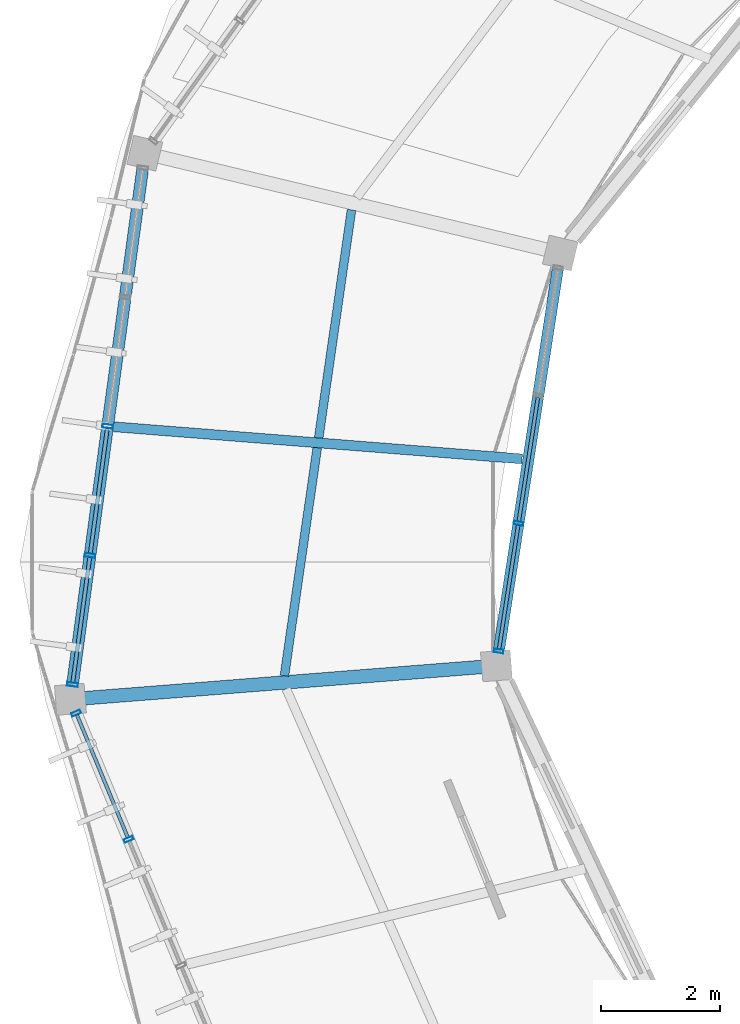
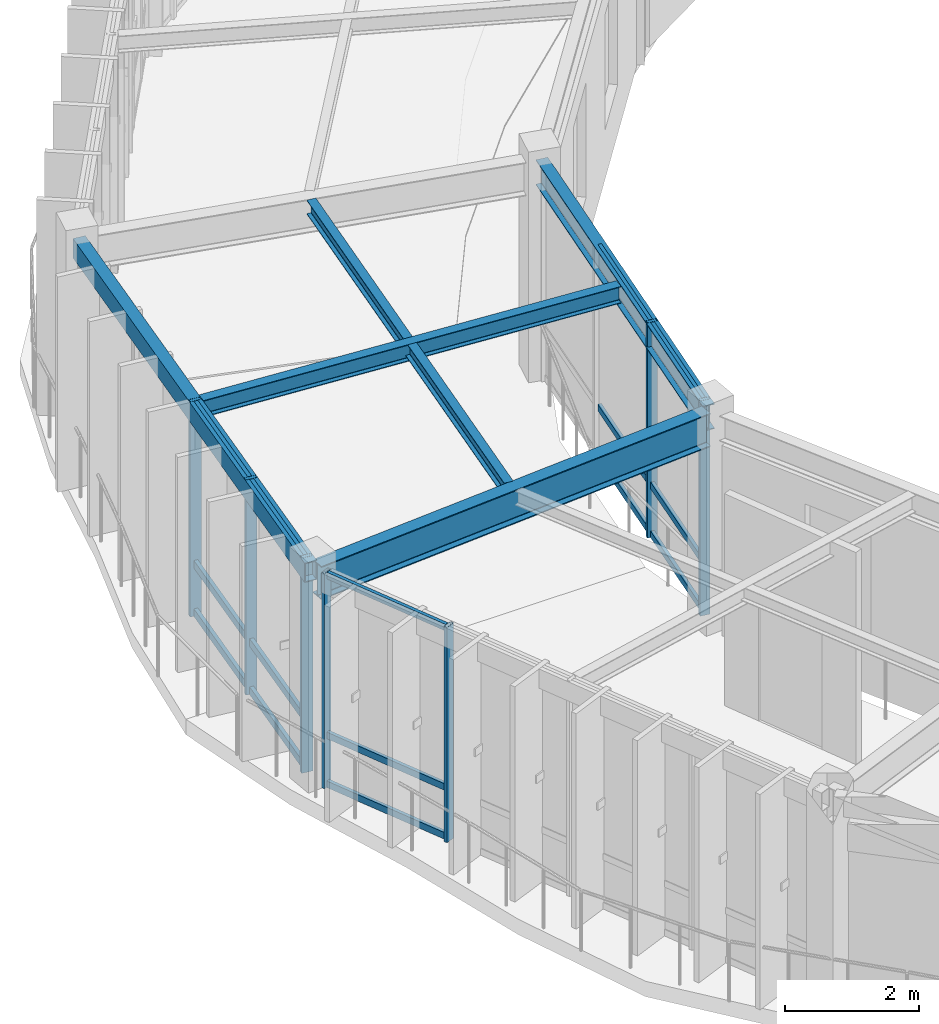
# One storey, part 10 of 78: 22 members, 5 beams, 3 elements without a shape of their own.
"""IFC4 building model written with IfcOpenShell, lengths in metres."""

from ifc_helpers import new_model, si_unit, direction, frame, origin, origin_2d, place, context, subcontext, project, spatial, hollow_rectangle, i_section, extrude, material, material_profile, profile_set, type_object, element, aggregate, save


model = new_model("IFC4")

# Units and contexts
model_context = context("Model", 3, precision=1e-05, world=origin(), true_north=direction((0.0, 1.0)))
body_context = subcontext(model_context, "Body", "Model", "MODEL_VIEW")
ifc_project = project(units=[si_unit("LENGTHUNIT", "METRE"), si_unit("AREAUNIT", "SQUARE_METRE"), si_unit("VOLUMEUNIT", "CUBIC_METRE"), si_unit("PLANEANGLEUNIT", "RADIAN"), si_unit("MASSUNIT", "GRAM", prefix="KILO"), si_unit("THERMODYNAMICTEMPERATUREUNIT", "KELVIN"), si_unit("POWERUNIT", "WATT")], contexts=[model_context])

# Site, building, storey
site_placement = place(None, origin())
site = spatial("IfcSite", under=ifc_project, at=site_placement, CompositionType="ELEMENT")
building_placement = place(site_placement, origin())
building = spatial("IfcBuilding", under=site, at=building_placement, Name="Darbajah Civic Hall", CompositionType="ELEMENT")
storey_placement = place(building_placement, frame((0.0, 0.0, 26.39990234375)))
storey = spatial("IfcBuildingStorey", under=building, at=storey_placement, Name="L06", CompositionType="ELEMENT", Elevation=26.39990234375)

# Curtain wall, members
ifc_material_1 = material(Name="Anodised Bronze Aluminium and Low-E Glazing", Category="aluminium")
curtain_wall_type_1 = type_object("IfcCurtainWallType", Name="Unitised Curtain Wall CW-70 6500x3900", PredefinedType="USERDEFINED", material=ifc_material_1)
curtain_wall_1_placement = place(storey_placement, origin())
curtain_wall_1 = element("IfcCurtainWall", 1, at=curtain_wall_1_placement, inside=storey, type_object=curtain_wall_type_1, Name="L06 unitised curtain wall CW-V1I-L06-09", ObjectType="UNITISED CURTAIN WALL", PredefinedType="USERDEFINED")
ifc_material_2 = material(Name="Anodised Bronze Aluminium", Category="aluminium")
ifc_material_profile_1 = material_profile(ifc_material_2, hollow_rectangle(XDim=0.06005859375, YDim=0.159912109375, WallThickness=0.00341796875, at=origin_2d()), Name="ALU MULLION 60x160")
ifc_profile_set_1 = profile_set([ifc_material_profile_1], Name="Anodised Bronze Aluminium")
member_type_1 = type_object("IfcMemberType", Name="ALU MULLION 60x160", PredefinedType="MULLION", material=ifc_profile_set_1)
member_1_placement = place(storey_placement, frame((45.80615234375, 90.451904296875, 0.0), z_axis=(0.0, 0.0, 1.0), x_axis=(-0.152813355565, -0.98825506746, 0.0)))
member_1 = element("IfcMember", 2, at=member_1_placement, type_object=member_type_1, Name="CW-V1I-L06-09 mullion 3", PredefinedType="MULLION", context=body_context, shape_type="SweptSolid", body=[
    extrude(hollow_rectangle(XDim=0.06005859375, YDim=0.159912109375, WallThickness=0.00341796875, at=origin_2d()), origin(), (0.0, 0.0, 1.0), 3.920166015625),
])
member_2_placement = place(storey_placement, frame((45.473388671875, 88.29931640625, 0.0), z_axis=(0.0, 0.0, 1.0), x_axis=(-0.152813355565, -0.98825506746, 0.0)))
member_2 = element("IfcMember", 3, at=member_2_placement, type_object=member_type_1, Name="CW-V1I-L06-09 mullion 4", PredefinedType="MULLION", context=body_context, shape_type="SweptSolid", body=[
    extrude(hollow_rectangle(XDim=0.06005859375, YDim=0.159912109375, WallThickness=0.00341796875, at=origin_2d()), origin(), (0.0, 0.0, 1.0), 3.920166015625),
])

curtain_wall_type_2 = type_object("IfcCurtainWallType", Name="Unitised Curtain Wall CW-82 9200x3900", PredefinedType="USERDEFINED", material=ifc_material_1)
curtain_wall_2_placement = place(storey_placement, origin())
curtain_wall_2 = element("IfcCurtainWall", 4, at=curtain_wall_2_placement, inside=storey, type_object=curtain_wall_type_2, Name="L06 unitised curtain wall CW-V1O-L06-10", ObjectType="UNITISED CURTAIN WALL", PredefinedType="USERDEFINED")
member_3_placement = place(storey_placement, frame((38.353759765625, 87.252685546875, 0.0), z_axis=(0.0, 0.0, 1.0), x_axis=(0.383328328644, -0.923612143954, 0.0)))
member_3 = element("IfcMember", 5, at=member_3_placement, type_object=member_type_1, Name="CW-V1O-L06-10 mullion 1", PredefinedType="MULLION", context=body_context, shape_type="SweptSolid", body=[
    extrude(hollow_rectangle(XDim=0.06005859375, YDim=0.159912109375, WallThickness=0.00341796875, at=origin_2d()), origin(), (0.0, 0.0, 1.0), 3.920166015625),
])
member_4_placement = place(storey_placement, frame((39.23681640625, 85.12548828125, 0.0), z_axis=(0.0, 0.0, 1.0), x_axis=(0.383328328644, -0.923612143954, 0.0)))
member_4 = element("IfcMember", 6, at=member_4_placement, type_object=member_type_1, Name="CW-V1O-L06-10 mullion 2", PredefinedType="MULLION", context=body_context, shape_type="SweptSolid", body=[
    extrude(hollow_rectangle(XDim=0.06005859375, YDim=0.159912109375, WallThickness=0.00341796875, at=origin_2d()), origin(), (0.0, 0.0, 1.0), 3.920166015625),
])

curtain_wall_type_3 = type_object("IfcCurtainWallType", Name="Unitised Curtain Wall CW-89 8800x3900", PredefinedType="USERDEFINED", material=ifc_material_1)
curtain_wall_3_placement = place(storey_placement, origin())
curtain_wall_3 = element("IfcCurtainWall", 7, at=curtain_wall_3_placement, inside=storey, type_object=curtain_wall_type_3, Name="L06 unitised curtain wall CW-V1O-L06-09", ObjectType="UNITISED CURTAIN WALL", PredefinedType="USERDEFINED")
ifc_material_profile_2 = material_profile(ifc_material_2, hollow_rectangle(XDim=0.06494140625, YDim=0.179931640625, WallThickness=0.00390625, at=origin_2d()), Name="ALU MULLION 65x180")
ifc_profile_set_2 = profile_set([ifc_material_profile_2], Name="Anodised Bronze Aluminium")
member_type_2 = type_object("IfcMemberType", Name="ALU MULLION 65x180", PredefinedType="MULLION", material=ifc_profile_set_2)
member_5_placement = place(storey_placement, frame((38.88330078125, 92.086181640625, 0.0), z_axis=(0.0, 0.0, 1.0), x_axis=(-0.134850930274, -0.990865897387, 0.0)))
member_5 = element("IfcMember", 8, at=member_5_placement, type_object=member_type_2, Name="CW-V1O-L06-09 mullion 3", PredefinedType="MULLION", context=body_context, shape_type="SweptSolid", body=[
    extrude(hollow_rectangle(XDim=0.06494140625, YDim=0.179931640625, WallThickness=0.00390625, at=origin_2d()), origin(), (0.0, 0.0, 1.0), 3.920166015625),
])
member_6_placement = place(storey_placement, frame((38.587158203125, 89.91064453125, 0.0), z_axis=(0.0, 0.0, 1.0), x_axis=(-0.134850930274, -0.990865897387, 0.0)))
member_6 = element("IfcMember", 9, at=member_6_placement, type_object=member_type_2, Name="CW-V1O-L06-09 mullion 4", PredefinedType="MULLION", context=body_context, shape_type="SweptSolid", body=[
    extrude(hollow_rectangle(XDim=0.06494140625, YDim=0.179931640625, WallThickness=0.00390625, at=origin_2d()), origin(), (0.0, 0.0, 1.0), 3.920166015625),
])
member_7_placement = place(storey_placement, frame((38.291259765625, 87.735107421875, 0.0), z_axis=(0.0, 0.0, 1.0), x_axis=(-0.134850930274, -0.990865897387, 0.0)))
member_7 = element("IfcMember", 10, at=member_7_placement, type_object=member_type_2, Name="CW-V1O-L06-09 mullion 5", PredefinedType="MULLION", context=body_context, shape_type="SweptSolid", body=[
    extrude(hollow_rectangle(XDim=0.06494140625, YDim=0.179931640625, WallThickness=0.00390625, at=origin_2d()), origin(), (0.0, 0.0, 1.0), 3.920166015625),
])

# Member
ifc_material_profile_3 = material_profile(ifc_material_2, hollow_rectangle(XDim=0.06005859375, YDim=0.1201171875, WallThickness=0.003173828125, at=origin_2d()), Name="ALU TRANSOM 60x120")
ifc_profile_set_3 = profile_set([ifc_material_profile_3], Name="Anodised Bronze Aluminium")
member_type_3 = type_object("IfcMemberType", Name="ALU TRANSOM 60x120", PredefinedType="USERDEFINED", material=ifc_profile_set_3)
member_8_placement = place(storey_placement, frame((46.133544921875, 92.569580078125, 0.06005859375), z_axis=(-0.152779573748, -0.988260290534, 0.0), x_axis=(0.988260290534, -0.152779573748, 0.0)))
member_8 = element("IfcMember", 11, at=member_8_placement, type_object=member_type_3, Name="CW-V1I-L06-09 transom 2.1", ObjectType="TRANSOM", PredefinedType="USERDEFINED", context=body_context, shape_type="SweptSolid", body=[
    extrude(hollow_rectangle(XDim=0.06005859375, YDim=0.1201171875, WallThickness=0.003173828125, at=origin_2d()), origin(), (0.0, 0.0, 1.0), 2.107666015625),
])

member_9_placement = place(storey_placement, frame((46.133544921875, 92.569580078125, 0.9501953125), z_axis=(-0.152779573748, -0.988260290534, 0.0), x_axis=(0.988260290534, -0.152779573748, 0.0)))
member_9 = element("IfcMember", 12, at=member_9_placement, type_object=member_type_3, Name="CW-V1I-L06-09 transom 2.2", ObjectType="TRANSOM", PredefinedType="USERDEFINED", context=body_context, shape_type="SweptSolid", body=[
    extrude(hollow_rectangle(XDim=0.06005859375, YDim=0.1201171875, WallThickness=0.003173828125, at=origin_2d()), origin(), (0.0, 0.0, 1.0), 2.107666015625),
])

member_10_placement = place(storey_placement, frame((46.133544921875, 92.569580078125, 3.860107421875), z_axis=(-0.152779573748, -0.988260290534, 0.0), x_axis=(0.988260290534, -0.152779573748, 0.0)))
member_10 = element("IfcMember", 13, at=member_10_placement, type_object=member_type_3, Name="CW-V1I-L06-09 transom 2.3", ObjectType="TRANSOM", PredefinedType="USERDEFINED", context=body_context, shape_type="SweptSolid", body=[
    extrude(hollow_rectangle(XDim=0.06005859375, YDim=0.1201171875, WallThickness=0.003173828125, at=origin_2d()), origin(), (0.0, 0.0, 1.0), 2.107666015625),
])

member_11_placement = place(storey_placement, frame((45.80078125, 90.417236328125, 0.06005859375), z_axis=(-0.152762087041, -0.988262993723, 0.0), x_axis=(0.988262993723, -0.152762087041, 0.0)))
member_11 = element("IfcMember", 14, at=member_11_placement, type_object=member_type_3, Name="CW-V1I-L06-09 transom 3.1", ObjectType="TRANSOM", PredefinedType="USERDEFINED", context=body_context, shape_type="SweptSolid", body=[
    extrude(hollow_rectangle(XDim=0.06005859375, YDim=0.1201171875, WallThickness=0.003173828125, at=origin_2d()), origin(), (0.0, 0.0, 1.0), 2.10791015625),
])

member_12_placement = place(storey_placement, frame((45.80078125, 90.417236328125, 0.9501953125), z_axis=(-0.152762087041, -0.988262993723, 0.0), x_axis=(0.988262993723, -0.152762087041, 0.0)))
member_12 = element("IfcMember", 15, at=member_12_placement, type_object=member_type_3, Name="CW-V1I-L06-09 transom 3.2", ObjectType="TRANSOM", PredefinedType="USERDEFINED", context=body_context, shape_type="SweptSolid", body=[
    extrude(hollow_rectangle(XDim=0.06005859375, YDim=0.1201171875, WallThickness=0.003173828125, at=origin_2d()), origin(), (0.0, 0.0, 1.0), 2.10791015625),
])

member_13_placement = place(storey_placement, frame((45.80078125, 90.417236328125, 3.860107421875), z_axis=(-0.152762087041, -0.988262993723, 0.0), x_axis=(0.988262993723, -0.152762087041, 0.0)))
member_13 = element("IfcMember", 16, at=member_13_placement, type_object=member_type_3, Name="CW-V1I-L06-09 transom 3.3", ObjectType="TRANSOM", PredefinedType="USERDEFINED", context=body_context, shape_type="SweptSolid", body=[
    extrude(hollow_rectangle(XDim=0.06005859375, YDim=0.1201171875, WallThickness=0.003173828125, at=origin_2d()), origin(), (0.0, 0.0, 1.0), 2.10791015625),
])

aggregate(curtain_wall_1, [member_1, member_2, member_8, member_9, member_10, member_11, member_12, member_13])

member_14_placement = place(storey_placement, frame((38.3671875, 87.220458984375, 0.06005859375), z_axis=(0.383365355902, -0.923596775597, 0.0), x_axis=(0.923596775597, 0.383365355902, 0.0)))
member_14 = element("IfcMember", 17, at=member_14_placement, type_object=member_type_3, Name="CW-V1O-L06-10 transom 1.1", ObjectType="TRANSOM", PredefinedType="USERDEFINED", context=body_context, shape_type="SweptSolid", body=[
    extrude(hollow_rectangle(XDim=0.06005859375, YDim=0.1201171875, WallThickness=0.003173828125, at=origin_2d()), origin(), (0.0, 0.0, 1.0), 2.2333984375),
])

member_15_placement = place(storey_placement, frame((38.3671875, 87.220458984375, 0.9501953125), z_axis=(0.383365355902, -0.923596775597, 0.0), x_axis=(0.923596775597, 0.383365355902, 0.0)))
member_15 = element("IfcMember", 18, at=member_15_placement, type_object=member_type_3, Name="CW-V1O-L06-10 transom 1.2", ObjectType="TRANSOM", PredefinedType="USERDEFINED", context=body_context, shape_type="SweptSolid", body=[
    extrude(hollow_rectangle(XDim=0.06005859375, YDim=0.1201171875, WallThickness=0.003173828125, at=origin_2d()), origin(), (0.0, 0.0, 1.0), 2.2333984375),
])

member_16_placement = place(storey_placement, frame((38.3671875, 87.220458984375, 3.860107421875), z_axis=(0.383365355902, -0.923596775597, 0.0), x_axis=(0.923596775597, 0.383365355902, 0.0)))
member_16 = element("IfcMember", 19, at=member_16_placement, type_object=member_type_3, Name="CW-V1O-L06-10 transom 1.3", ObjectType="TRANSOM", PredefinedType="USERDEFINED", context=body_context, shape_type="SweptSolid", body=[
    extrude(hollow_rectangle(XDim=0.06005859375, YDim=0.1201171875, WallThickness=0.003173828125, at=origin_2d()), origin(), (0.0, 0.0, 1.0), 2.2333984375),
])

aggregate(curtain_wall_2, [member_3, member_4, member_14, member_15, member_16])

ifc_material_profile_4 = material_profile(ifc_material_2, hollow_rectangle(XDim=0.06494140625, YDim=0.139892578125, WallThickness=0.00341796875, at=origin_2d()), Name="ALU TRANSOM 65x140")
ifc_profile_set_4 = profile_set([ifc_material_profile_4], Name="Anodised Bronze Aluminium")
member_type_4 = type_object("IfcMemberType", Name="ALU TRANSOM 65x140", PredefinedType="USERDEFINED", material=ifc_profile_set_4)
member_17_placement = place(storey_placement, frame((38.878173828125, 92.048828125, 0.070068359375), z_axis=(-0.13482547321, -0.990869361608, 0.0), x_axis=(0.990869361608, -0.13482547321, 0.0)))
member_17 = element("IfcMember", 20, at=member_17_placement, type_object=member_type_4, Name="CW-V1O-L06-09 transom 3.1", ObjectType="TRANSOM", PredefinedType="USERDEFINED", context=body_context, shape_type="SweptSolid", body=[
    extrude(hollow_rectangle(XDim=0.06494140625, YDim=0.139892578125, WallThickness=0.00341796875, at=origin_2d()), origin(), (0.0, 0.0, 1.0), 2.120361328125),
])

member_18_placement = place(storey_placement, frame((38.878173828125, 92.048828125, 0.9501953125), z_axis=(-0.13482547321, -0.990869361608, 0.0), x_axis=(0.990869361608, -0.13482547321, 0.0)))
member_18 = element("IfcMember", 21, at=member_18_placement, type_object=member_type_4, Name="CW-V1O-L06-09 transom 3.2", ObjectType="TRANSOM", PredefinedType="USERDEFINED", context=body_context, shape_type="SweptSolid", body=[
    extrude(hollow_rectangle(XDim=0.06494140625, YDim=0.139892578125, WallThickness=0.00341796875, at=origin_2d()), origin(), (0.0, 0.0, 1.0), 2.120361328125),
])

member_19_placement = place(storey_placement, frame((38.878173828125, 92.048828125, 3.85009765625), z_axis=(-0.13482547321, -0.990869361608, 0.0), x_axis=(0.990869361608, -0.13482547321, 0.0)))
member_19 = element("IfcMember", 22, at=member_19_placement, type_object=member_type_4, Name="CW-V1O-L06-09 transom 3.3", ObjectType="TRANSOM", PredefinedType="USERDEFINED", context=body_context, shape_type="SweptSolid", body=[
    extrude(hollow_rectangle(XDim=0.06494140625, YDim=0.139892578125, WallThickness=0.00341796875, at=origin_2d()), origin(), (0.0, 0.0, 1.0), 2.120361328125),
])

member_20_placement = place(storey_placement, frame((38.58203125, 89.87353515625, 0.070068359375), z_axis=(-0.134712426489, -0.990884737066, 0.0), x_axis=(0.990884737066, -0.134712426489, 0.0)))
member_20 = element("IfcMember", 23, at=member_20_placement, type_object=member_type_4, Name="CW-V1O-L06-09 transom 4.1", ObjectType="TRANSOM", PredefinedType="USERDEFINED", context=body_context, shape_type="SweptSolid", body=[
    extrude(hollow_rectangle(XDim=0.06494140625, YDim=0.139892578125, WallThickness=0.00341796875, at=origin_2d()), origin(), (0.0, 0.0, 1.0), 2.120361328125),
])

member_21_placement = place(storey_placement, frame((38.58203125, 89.87353515625, 0.9501953125), z_axis=(-0.134712426489, -0.990884737066, 0.0), x_axis=(0.990884737066, -0.134712426489, 0.0)))
member_21 = element("IfcMember", 24, at=member_21_placement, type_object=member_type_4, Name="CW-V1O-L06-09 transom 4.2", ObjectType="TRANSOM", PredefinedType="USERDEFINED", context=body_context, shape_type="SweptSolid", body=[
    extrude(hollow_rectangle(XDim=0.06494140625, YDim=0.139892578125, WallThickness=0.00341796875, at=origin_2d()), origin(), (0.0, 0.0, 1.0), 2.120361328125),
])

member_22_placement = place(storey_placement, frame((38.58203125, 89.87353515625, 3.85009765625), z_axis=(-0.134712426489, -0.990884737066, 0.0), x_axis=(0.990884737066, -0.134712426489, 0.0)))
member_22 = element("IfcMember", 25, at=member_22_placement, type_object=member_type_4, Name="CW-V1O-L06-09 transom 4.3", ObjectType="TRANSOM", PredefinedType="USERDEFINED", context=body_context, shape_type="SweptSolid", body=[
    extrude(hollow_rectangle(XDim=0.06494140625, YDim=0.139892578125, WallThickness=0.00341796875, at=origin_2d()), origin(), (0.0, 0.0, 1.0), 2.120361328125),
])

aggregate(curtain_wall_3, [member_5, member_6, member_7, member_17, member_18, member_19, member_20, member_21, member_22])

# Beams
ifc_material_3 = material(Name="Steel S355JR", Category="steel")
ifc_material_profile_5 = material_profile(ifc_material_3, hollow_rectangle(XDim=0.199951171875, YDim=0.35009765625, WallThickness=0.012451171875, at=origin_2d()), Name="RHS 350x200x12.5")
ifc_profile_set_5 = profile_set([ifc_material_profile_5], Name="Steel S355JR")
beam_type_1 = type_object("IfcBeamType", Name="RHS 350x200x12.5", PredefinedType="SPANDREL", material=ifc_profile_set_5)
beam_1_placement = place(storey_placement, frame((39.498291015625, 96.607421875, 3.7451171875), z_axis=(-0.134804002093, -0.9908722829, 0.0), x_axis=(0.9908722829, -0.134804002093, 0.0)))
element("IfcBeam", 26, at=beam_1_placement, inside=storey, type_object=beam_type_1, Name="L06 beam SP-RHS350", PredefinedType="SPANDREL", context=body_context, shape_type="SweptSolid", body=[
    extrude(hollow_rectangle(XDim=0.199951171875, YDim=0.35009765625, WallThickness=0.012451171875, at=origin_2d()), origin(), (0.0, 0.0, 1.0), 9.1259765625),
])
ifc_material_profile_6 = material_profile(ifc_material_3, i_section(OverallWidth=0.146484375, OverallDepth=0.256103515625, WebThickness=0.00634765625, FlangeThickness=0.010986328125, FilletRadius=0.007568359375, at=origin_2d()), Name="UB 254x146x37")
ifc_profile_set_6 = profile_set([ifc_material_profile_6], Name="Steel S355JR")
beam_type_2 = type_object("IfcBeamType", Name="UB 254x146x37", PredefinedType="JOIST", material=ifc_profile_set_6)
beam_2_placement = place(storey_placement, frame((42.9931640625, 95.7314453125, 3.7919921875), z_axis=(-0.142580747671, -0.989783173424, 0.0), x_axis=(0.989783173424, -0.142580747671, 0.0)))
element("IfcBeam", 27, at=beam_2_placement, inside=storey, type_object=beam_type_2, Name="L06 beam SJ-254", PredefinedType="JOIST", context=body_context, shape_type="SweptSolid", body=[
    extrude(i_section(OverallWidth=0.146484375, OverallDepth=0.256103515625, WebThickness=0.00634765625, FlangeThickness=0.010986328125, FilletRadius=0.007568359375, at=origin_2d()), origin(), (0.0, 0.0, 1.0), 7.9296875),
])
ifc_material_profile_7 = material_profile(ifc_material_3, i_section(OverallWidth=0.165771484375, OverallDepth=0.306640625, WebThickness=0.006591796875, FlangeThickness=0.01171875, FilletRadius=0.0087890625, at=origin_2d()), Name="UB 305x165x46")
ifc_profile_set_7 = profile_set([ifc_material_profile_7], Name="Steel S355JR")
beam_type_3 = type_object("IfcBeamType", Name="UB 305x165x46", PredefinedType="JOIST", material=ifc_profile_set_7)
beam_3_placement = place(storey_placement, frame((45.866943359375, 91.536376953125, 3.766845703125), z_axis=(-0.996918778661, 0.078440734012, 0.0), x_axis=(-0.078440734012, -0.996918778661, 0.0)))
element("IfcBeam", 28, at=beam_3_placement, inside=storey, type_object=beam_type_3, Name="L06 beam SJ-305", PredefinedType="JOIST", context=body_context, shape_type="SweptSolid", body=[
    extrude(i_section(OverallWidth=0.165771484375, OverallDepth=0.306640625, WebThickness=0.006591796875, FlangeThickness=0.01171875, FilletRadius=0.0087890625, at=origin_2d()), origin(), (0.0, 0.0, 1.0), 6.9033203125),
])
ifc_material_profile_8 = material_profile(ifc_material_3, i_section(OverallWidth=0.1904296875, OverallDepth=0.45703125, WebThickness=0.009033203125, FlangeThickness=0.014404296875, FilletRadius=0.01025390625, at=origin_2d()), Name="UB 457x191x74")
ifc_profile_set_8 = profile_set([ifc_material_profile_8], Name="Steel S355JR")
beam_type_4 = type_object("IfcBeamType", Name="UB 457x191x74", PredefinedType="BEAM", material=ifc_profile_set_8)
beam_4_placement = place(storey_placement, frame((46.498046875, 94.9267578125, 3.691650390625), z_axis=(-0.152771975645, -0.988261465128, 0.0), x_axis=(0.988261465128, -0.152771975645, 0.0)))
element("IfcBeam", 29, at=beam_4_placement, inside=storey, type_object=beam_type_4, Name="L06 beam SB-457", PredefinedType="BEAM", context=body_context, shape_type="SweptSolid", body=[
    extrude(i_section(OverallWidth=0.1904296875, OverallDepth=0.45703125, WebThickness=0.009033203125, FlangeThickness=0.014404296875, FilletRadius=0.01025390625, at=origin_2d()), origin(), (0.0, 0.0, 1.0), 6.878173828125),
])
ifc_material_profile_9 = material_profile(ifc_material_3, i_section(OverallWidth=0.228271484375, OverallDepth=0.607666015625, WebThickness=0.010986328125, FlangeThickness=0.017333984375, FilletRadius=0.0126953125, at=origin_2d()), Name="UB 610x229x113")
ifc_profile_set_9 = profile_set([ifc_material_profile_9], Name="Steel S355JR")
beam_type_5 = type_object("IfcBeamType", Name="UB 610x229x113", PredefinedType="BEAM", material=ifc_profile_set_9)
beam_5_placement = place(storey_placement, frame((45.355224609375, 88.044189453125, 3.6162109375), z_axis=(-0.996915809033, -0.078478466478, 0.0), x_axis=(0.078478466478, -0.996915809033, 0.0)))
element("IfcBeam", 30, at=beam_5_placement, inside=storey, type_object=beam_type_5, Name="L06 beam SB-610", PredefinedType="BEAM", context=body_context, shape_type="SweptSolid", body=[
    extrude(i_section(OverallWidth=0.228271484375, OverallDepth=0.607666015625, WebThickness=0.010986328125, FlangeThickness=0.017333984375, FilletRadius=0.0126953125, at=origin_2d()), origin(), (0.0, 0.0, 1.0), 7.0400390625),
])

save(model, "model.ifc")
